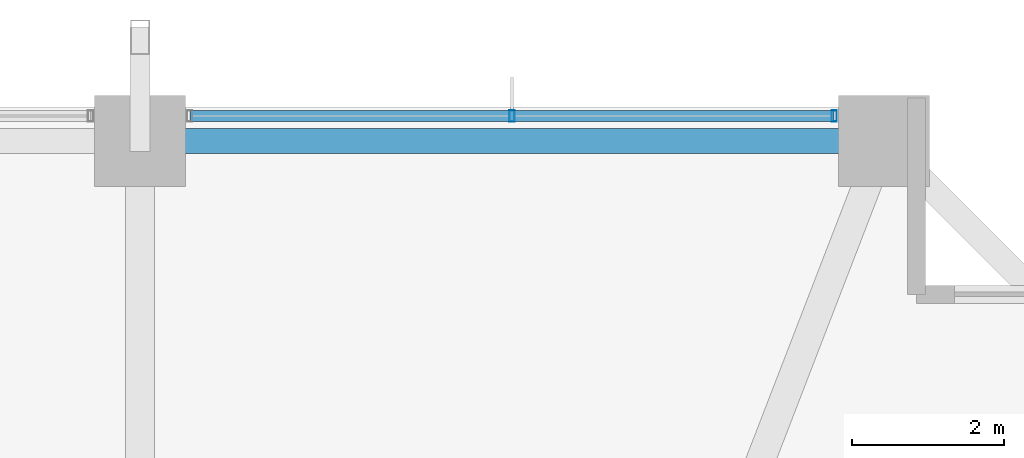
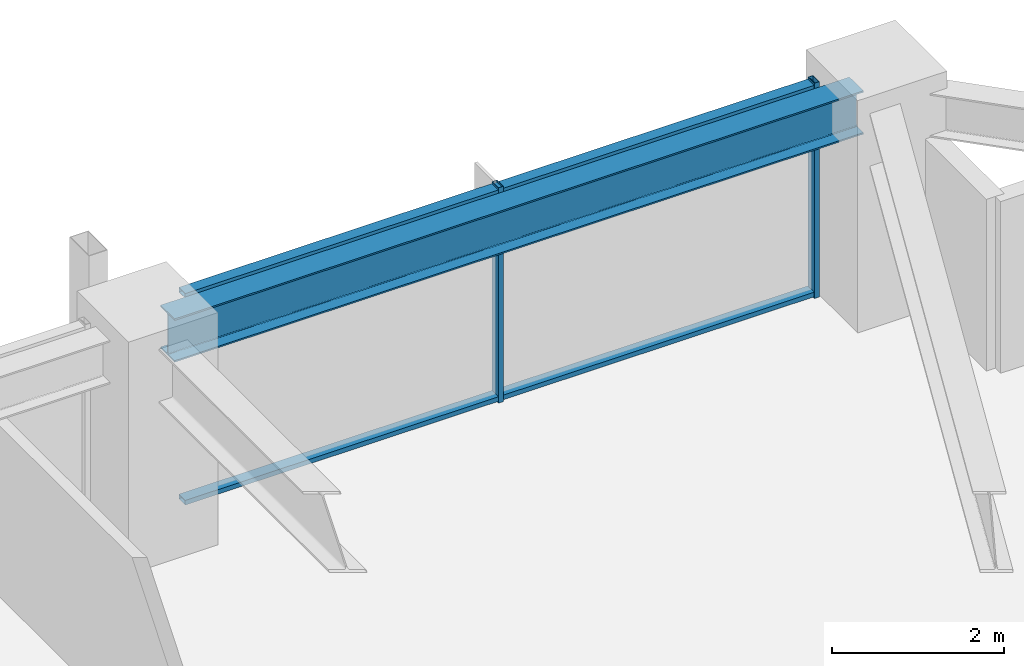
# One storey, part 24 of 36: 4 members, 1 beam, 1 element without a shape of its own.
"""IFC4 building model written with IfcOpenShell, lengths in metres."""

from ifc_helpers import new_model, si_unit, direction, frame, origin, origin_2d, place, context, subcontext, project, spatial, hollow_rectangle, i_section, extrude, material, material_profile, profile_set, type_object, element, aggregate, save


model = new_model("IFC4")

# Units and contexts
model_context = context("Model", 3, precision=1e-05, world=origin(), true_north=direction((0.0, 1.0)))
body_context = subcontext(model_context, "Body", "Model", "MODEL_VIEW")
ifc_project = project(units=[si_unit("LENGTHUNIT", "METRE"), si_unit("AREAUNIT", "SQUARE_METRE"), si_unit("VOLUMEUNIT", "CUBIC_METRE"), si_unit("PLANEANGLEUNIT", "RADIAN"), si_unit("MASSUNIT", "GRAM", prefix="KILO")], contexts=[model_context])

# Site, building, storey
site_placement = place(None, origin())
site = spatial("IfcSite", under=ifc_project, at=site_placement, CompositionType="ELEMENT")
building_placement = place(site_placement, origin())
building = spatial("IfcBuilding", under=site, at=building_placement, Name="Kolvaren Belvedere", CompositionType="ELEMENT")
storey_placement = place(building_placement, frame((0.0, 0.0, 46.89990234375)))
storey = spatial("IfcBuildingStorey", under=building, at=storey_placement, Name="L13", CompositionType="ELEMENT", Elevation=46.89990234375)

# Beam
ifc_material_1 = material(Name="Structural steel ASTM A992 Grade 50", Category="steel")
ifc_material_profile_1 = material_profile(ifc_material_1, i_section(OverallWidth=0.324951171875, OverallDepth=0.615966796875, WebThickness=0.013916015625, FlangeThickness=0.021484375, FilletRadius=0.02001953125, at=origin_2d()), Name="W24X117")
ifc_profile_set_1 = profile_set([ifc_material_profile_1], Name="Structural steel ASTM A992 Grade 50")
beam_type = type_object("IfcBeamType", Name="BM-SPAN-W24X117", PredefinedType="SPANDREL", material=ifc_profile_set_1)
beam_placement = place(storey_placement, frame((14.1298828125, 21.550048828125, 2.752197265625), z_axis=(-1.0, 0.0, 0.0), x_axis=(0.0, -1.0, 0.0)))
element("IfcBeam", 1, at=beam_placement, inside=storey, type_object=beam_type, Name="L13 Perimeter Spandrel N4-N3", PredefinedType="SPANDREL", context=body_context, shape_type="SweptSolid", body=[
    extrude(i_section(OverallWidth=0.324951171875, OverallDepth=0.615966796875, WebThickness=0.013916015625, FlangeThickness=0.021484375, FilletRadius=0.02001953125, at=origin_2d()), origin(), (0.0, 0.0, 1.0), 9.259765625),
])

# Curtain wall, members
ifc_material_2 = material(Name="Anodised pale-metal aluminium AA 6063-T6", Category="aluminium")
curtain_wall_type = type_object("IfcCurtainWallType", Name="CW-Z1-LOW", PredefinedType="NOTDEFINED", material=ifc_material_2)
curtain_wall_placement = place(storey_placement, origin())
curtain_wall = element("IfcCurtainWall", 2, at=curtain_wall_placement, inside=storey, type_object=curtain_wall_type, Name="L13 Unitised Curtain Wall FCW-L13-N-B3", PredefinedType="NOTDEFINED")
ifc_material_3 = material(Name="Anodised pale-metal aluminium AA 6063-T6", Category="aluminium")
ifc_material_profile_2 = material_profile(ifc_material_3, hollow_rectangle(XDim=0.070068359375, YDim=0.14990234375, WallThickness=0.004150390625, at=origin_2d()), Name="ALU-MUL-150X70")
ifc_profile_set_2 = profile_set([ifc_material_profile_2], Name="Anodised pale-metal aluminium AA 6063-T6")
member_type_1 = type_object("IfcMemberType", Name="CW-MUL-150", PredefinedType="MULLION", material=ifc_profile_set_2)
member_1_placement = place(storey_placement, frame((9.5, 21.8798828125, 0.0), z_axis=(0.0, 0.0, 1.0), x_axis=(1.0, 0.0, 0.0)))
member_1 = element("IfcMember", 3, at=member_1_placement, type_object=member_type_1, Name="FCW-L13-N-B3 Unitised Mullion 2", PredefinedType="MULLION", context=body_context, shape_type="SweptSolid", body=[
    extrude(hollow_rectangle(XDim=0.070068359375, YDim=0.14990234375, WallThickness=0.004150390625, at=origin_2d()), origin(), (0.0, 0.0, 1.0), 3.06005859375),
])
member_2_placement = place(storey_placement, frame((13.7451171875, 21.8798828125, 0.0), z_axis=(0.0, 0.0, 1.0), x_axis=(1.0, 0.0, 0.0)))
member_2 = element("IfcMember", 4, at=member_2_placement, type_object=member_type_1, Name="FCW-L13-N-B3 Unitised Mullion 3", PredefinedType="MULLION", context=body_context, shape_type="SweptSolid", body=[
    extrude(hollow_rectangle(XDim=0.070068359375, YDim=0.14990234375, WallThickness=0.004150390625, at=origin_2d()), origin(), (0.0, 0.0, 1.0), 3.06005859375),
])
ifc_material_4 = material(Name="Anodised pale-metal aluminium AA 6063-T6", Category="aluminium")
ifc_material_profile_3 = material_profile(ifc_material_4, hollow_rectangle(XDim=0.06494140625, YDim=0.14990234375, WallThickness=0.00390625, at=origin_2d()), Name="ALU-TRN-150X65")
ifc_profile_set_3 = profile_set([ifc_material_profile_3], Name="Anodised pale-metal aluminium AA 6063-T6")
member_type_2 = type_object("IfcMemberType", Name="CW-TRN-150", PredefinedType="USERDEFINED", material=ifc_profile_set_3)
member_3_placement = place(storey_placement, frame((5.2548828125, 21.8798828125, 0.06005859375), z_axis=(1.0, 0.0, 0.0), x_axis=(0.0, 0.0, 1.0)))
member_3 = element("IfcMember", 5, at=member_3_placement, type_object=member_type_2, Name="FCW-L13-N-B3 Sill Transom", ObjectType="TRANSOM", PredefinedType="USERDEFINED", context=body_context, shape_type="SweptSolid", body=[
    extrude(hollow_rectangle(XDim=0.06494140625, YDim=0.14990234375, WallThickness=0.00390625, at=origin_2d()), origin(), (0.0, 0.0, 1.0), 8.490234375),
])
member_4_placement = place(storey_placement, frame((5.2548828125, 21.8798828125, 3.0), z_axis=(1.0, 0.0, 0.0), x_axis=(0.0, 0.0, 1.0)))
member_4 = element("IfcMember", 6, at=member_4_placement, type_object=member_type_2, Name="FCW-L13-N-B3 Head Transom", ObjectType="TRANSOM", PredefinedType="USERDEFINED", context=body_context, shape_type="SweptSolid", body=[
    extrude(hollow_rectangle(XDim=0.06494140625, YDim=0.14990234375, WallThickness=0.00390625, at=origin_2d()), origin(), (0.0, 0.0, 1.0), 8.490234375),
])
aggregate(curtain_wall, [member_1, member_2, member_3, member_4])

save(model, "model.ifc")
